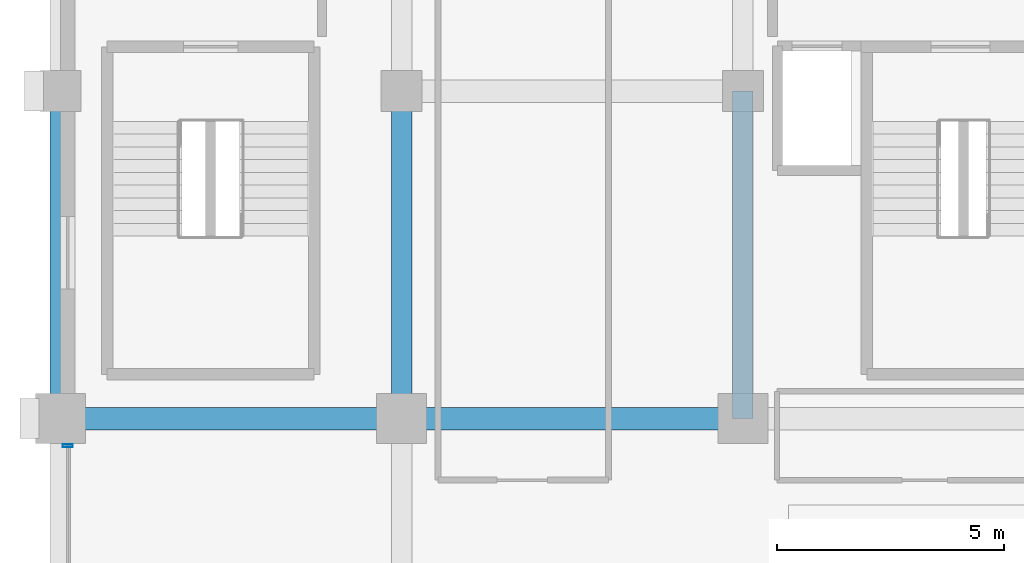
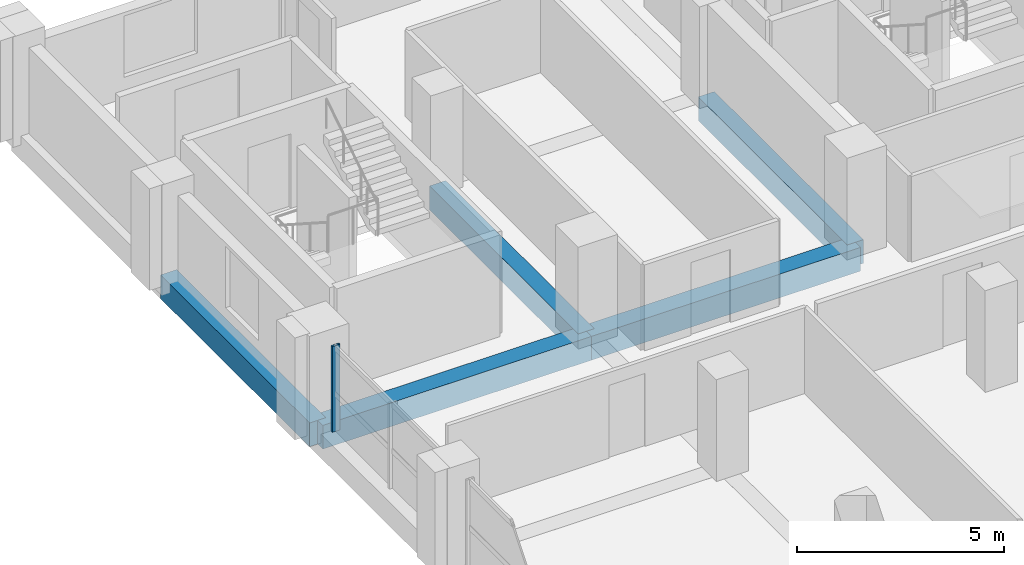
# One storey, part 8 of 22: 5 beams, 1 member, 1 element without a shape of its own.
"""IFC4 building model written with IfcOpenShell, lengths in metres."""

from ifc_helpers import new_model, si_unit, direction, frame, origin, origin_2d, place, context, subcontext, project, spatial, rectangle, hollow_rectangle, extrude, material, material_profile, profile_set, type_object, element, aggregate, save


model = new_model("IFC4")

# Units and contexts
model_context = context("Model", 3, precision=1e-05, world=origin(), true_north=direction((0.0, 1.0)))
body_context = subcontext(model_context, "Body", "Model", "MODEL_VIEW")
ifc_project = project(units=[si_unit("LENGTHUNIT", "METRE"), si_unit("AREAUNIT", "SQUARE_METRE"), si_unit("VOLUMEUNIT", "CUBIC_METRE"), si_unit("PLANEANGLEUNIT", "RADIAN"), si_unit("MASSUNIT", "GRAM", prefix="KILO")], contexts=[model_context])

# Site, building, storey
site_placement = place(None, origin())
site = spatial("IfcSite", under=ifc_project, at=site_placement, CompositionType="ELEMENT")
building_placement = place(site_placement, origin())
building = spatial("IfcBuilding", under=site, at=building_placement, Name="Akrevak Sports Hall", CompositionType="ELEMENT")
storey_placement = place(building_placement, frame((0.0, 0.0, 30.800048828125)))
storey = spatial("IfcBuildingStorey", under=building, at=storey_placement, Name="L06", CompositionType="ELEMENT", Elevation=30.800048828125)

# Curtain wall, member
ifc_material_1 = material(Name="Anodized Bronze Aluminium & Low-E Glass", Category="aluminium")
curtain_wall_type = type_object("IfcCurtainWallType", Name="ARC-CW-TWR-64x30", PredefinedType="NOTDEFINED", material=ifc_material_1)
curtain_wall_placement = place(storey_placement, origin())
curtain_wall = element("IfcCurtainWall", 1, at=curtain_wall_placement, inside=storey, type_object=curtain_wall_type, Name="Curtain Wall CW-L06-W30", PredefinedType="NOTDEFINED")
ifc_material_2 = material(Name="Anodized Bronze Aluminium", Category="aluminium")
ifc_material_profile_1 = material_profile(ifc_material_2, hollow_rectangle(XDim=0.06494140625, YDim=0.219970703125, WallThickness=0.00439453125, at=origin_2d()), Name="CWM 65x220", Category="aluminium")
ifc_profile_set_1 = profile_set([ifc_material_profile_1], Name="Anodized Bronze Aluminium")
member_type = type_object("IfcMemberType", Name="ARC-CWM-70x160", PredefinedType="MULLION", material=ifc_profile_set_1)
member_placement = place(storey_placement, frame((45.159912109375, 54.610107421875, 0.0), z_axis=(0.0, 0.0, 1.0), x_axis=(0.0, -1.0, 0.0)))
member = element("IfcMember", 2, at=member_placement, type_object=member_type, Name="Curtain Wall Mullion CW-L06-W30-M1", PredefinedType="MULLION", context=body_context, shape_type="SweptSolid", body=[
    extrude(hollow_rectangle(XDim=0.06494140625, YDim=0.219970703125, WallThickness=0.00439453125, at=origin_2d()), origin(), (0.0, 0.0, 1.0), 2.530029296875),
])
aggregate(curtain_wall, [member])

# Beams
ifc_material_3 = material(Name="Concrete C40/50", Category="concrete")
ifc_material_profile_2 = material_profile(ifc_material_3, rectangle(XDim=0.449951171875, YDim=0.699951171875, at=origin_2d()), Name="BM 450x700", Category="concrete")
ifc_profile_set_2 = profile_set([ifc_material_profile_2], Name="Concrete C40/50")
beam_type_1 = type_object("IfcBeamType", Name="STR-BM-RC450x700", PredefinedType="BEAM", material=ifc_profile_set_2)
for number, where, z_axis, x_axis, name in (
    (3, (45.0, 55.199951171875, -0.35009765625), (0.0, 1.0, 0.0), (-1.0, 0.0, 0.0), "Girder 7/I-J (L06)"),
    (4, (52.5, 55.199951171875, -0.35009765625), (0.0, 1.0, 0.0), (-1.0, 0.0, 0.0), "Girder 8/I-J (L06)"),
    (5, (60.0, 55.199951171875, -0.35009765625), (0.0, 1.0, 0.0), (-1.0, 0.0, 0.0), "Girder 9/I-J (L06)"),
):
    element("IfcBeam", number, at=place(storey_placement, frame(where, z_axis=z_axis, x_axis=x_axis)), inside=storey, type_object=beam_type_1, Name=name, PredefinedType="BEAM", context=body_context, shape_type="SweptSolid", body=[
        extrude(rectangle(XDim=0.449951171875, YDim=0.699951171875, at=origin_2d()), origin(), (0.0, 0.0, 1.0), 7.199951171875),
    ])
ifc_material_profile_3 = material_profile(ifc_material_3, rectangle(XDim=0.5, YDim=0.699951171875, at=origin_2d()), Name="BM 500x700", Category="concrete")
ifc_profile_set_3 = profile_set([ifc_material_profile_3], Name="Concrete C40/50")
beam_type_2 = type_object("IfcBeamType", Name="STR-BM-RC500x700", PredefinedType="BEAM", material=ifc_profile_set_3)
for number, where, z_axis, x_axis, name in (
    (6, (45.0, 55.199951171875, -0.35009765625), (1.0, 0.0, 0.0), (0.0, 1.0, 0.0), "Girder I/7-8 (L06)"),
    (7, (52.5, 55.199951171875, -0.35009765625), (1.0, 0.0, 0.0), (0.0, 1.0, 0.0), "Girder I/8-9 (L06)"),
):
    element("IfcBeam", number, at=place(storey_placement, frame(where, z_axis=z_axis, x_axis=x_axis)), inside=storey, type_object=beam_type_2, Name=name, PredefinedType="BEAM", context=body_context, shape_type="SweptSolid", body=[
        extrude(rectangle(XDim=0.5, YDim=0.699951171875, at=origin_2d()), origin(), (0.0, 0.0, 1.0), 7.5),
    ])

save(model, "model.ifc")
